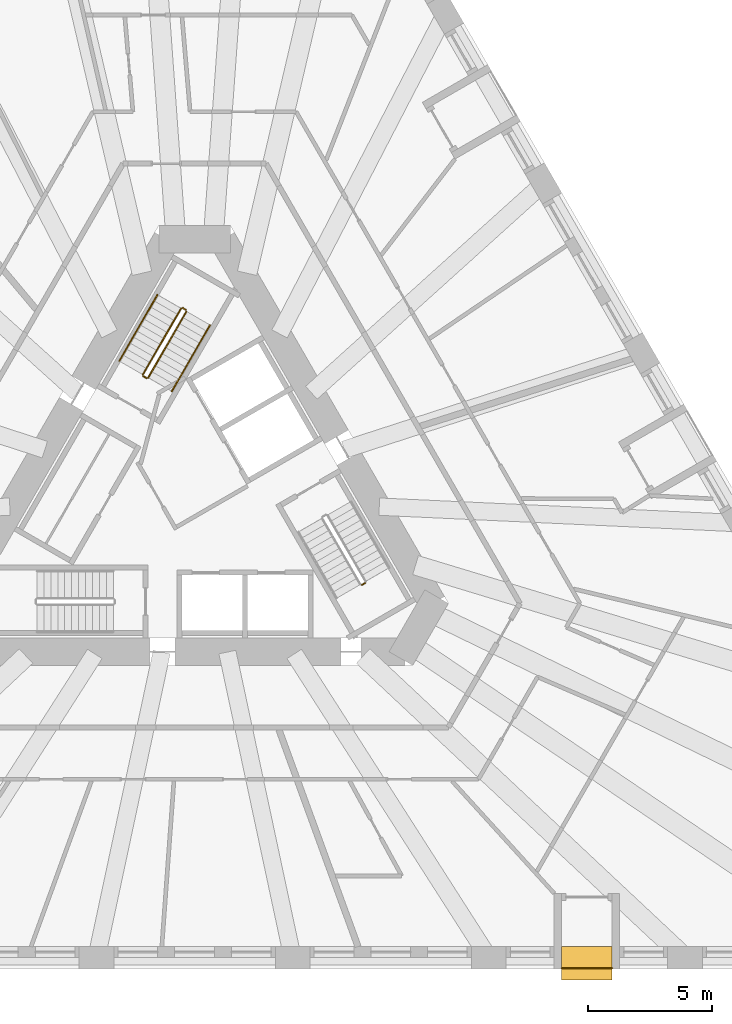
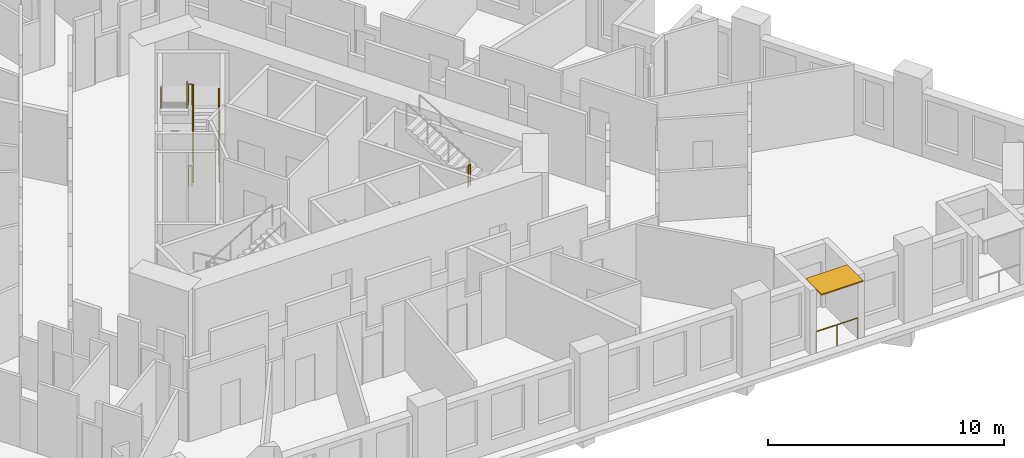
# One storey, part 12 of 14: 8 railings, 1 shading device.
"""IFC4 building model written with IfcOpenShell, lengths in metres."""

from ifc_helpers import new_model, si_unit, direction, frame, origin, origin_2d, place, context, subcontext, project, spatial, rectangle, circle, extrude, material, layer, layer_set, type_object, element, save


model = new_model("IFC4")

# Units and contexts
model_context = context("Model", 3, precision=1e-05, world=origin(), true_north=direction((0.0, 1.0)))
body_context = subcontext(model_context, "Body", "Model", "MODEL_VIEW")
ifc_project = project(units=[si_unit("LENGTHUNIT", "METRE"), si_unit("AREAUNIT", "SQUARE_METRE"), si_unit("VOLUMEUNIT", "CUBIC_METRE"), si_unit("PLANEANGLEUNIT", "RADIAN"), si_unit("MASSUNIT", "GRAM", prefix="KILO")], contexts=[model_context])

# Site, building, storey
site_placement = place(None, origin())
site = spatial("IfcSite", under=ifc_project, at=site_placement, CompositionType="ELEMENT")
building_placement = place(site_placement, origin())
building = spatial("IfcBuilding", under=site, at=building_placement, Name="Tramontana Tower", CompositionType="ELEMENT")
storey_placement = place(building_placement, frame((0.0, 0.0, 38.0)))
storey = spatial("IfcBuildingStorey", under=building, at=storey_placement, Name="L07", CompositionType="ELEMENT", Elevation=38.0)

# Railing
ifc_material_1 = material(Name="Laminated glass balustrade", Category="glass")
railing_type_1 = type_object("IfcRailingType", Name="GD1 Loggia glass balustrade 1100", PredefinedType="BALUSTRADE", material=ifc_material_1)
railing_1_placement = place(storey_placement, frame((14.816162109375, -18.969970703125, 0.0)))
element("IfcRailing", 1, at=railing_1_placement, inside=storey, type_object=railing_type_1, Name="Loggia balustrade L07 G0S1.16", PredefinedType="BALUSTRADE", context=body_context, shape_type="SweptSolid", body=[
    extrude(circle(Radius=0.02392578125, at=origin_2d()), frame((0.0, 0.0, 1.076171875), z_axis=(1.0, 0.0, 0.0), x_axis=(0.0, 1.0, 0.0)), (0.0, 0.0, 1.0), 2.039306640625),
    extrude(circle(Radius=0.02099609375, at=origin_2d()), origin(), (0.0, 0.0, 1.0), 1.052001953125),
    extrude(circle(Radius=0.02099609375, at=origin_2d()), frame((1.01953125, 0.0, 0.0)), (0.0, 0.0, 1.0), 1.052001953125),
    extrude(circle(Radius=0.02099609375, at=origin_2d()), frame((2.039306640625, 0.0, 0.0)), (0.0, 0.0, 1.0), 1.052001953125),
])

# Shading device
ifc_material_2 = material(Name="Precast concrete 60 MPa", Category="concrete")
ifc_layer = layer(ifc_material_2, 0.06005859375)
ifc_layer_set = layer_set([ifc_layer], Name="SS1 Stone sunshade blade 60")
shading_device_type = type_object("IfcShadingDeviceType", Name="SS1 Stone sunshade blade 60", PredefinedType="USERDEFINED", material=ifc_layer_set)
shading_device_placement = place(storey_placement, frame((15.8359375, -18.77490234375, 3.239990234375), z_axis=(0.0, 0.0, 1.0), x_axis=(1.0, 0.0, 0.0)))
element("IfcShadingDevice", 2, at=shading_device_placement, inside=storey, type_object=shading_device_type, Name="Sunshade L07 G0S1.16", ObjectType="SUNSHADE", PredefinedType="USERDEFINED", context=body_context, shape_type="SweptSolid", body=[
    extrude(rectangle(XDim=2.039306640625, YDim=1.35009765625, at=origin_2d()), origin(), (0.0, 0.0, 1.0), 0.06005859375),
])

# Railings
ifc_material_3 = material(Name="Painted steel", Category="steel")
railing_type_2 = type_object("IfcRailingType", Name="STAIR GUARD 1100", PredefinedType="GUARDRAIL", material=ifc_material_3)
railing_2_placement = place(storey_placement, frame((-1.867431640625, 4.865478515625, 0.166748046875)))
element("IfcRailing", 3, at=railing_2_placement, inside=storey, type_object=railing_type_2, Name="L07 ST1 stair guard 1", PredefinedType="GUARDRAIL", context=body_context, shape_type="SweptSolid", body=[
    extrude(circle(Radius=0.02392578125, at=origin_2d()), frame((0.0, 0.0, 1.076171875), z_axis=(0.429649414936, 0.744189839504, 0.511451721109), x_axis=(-0.866029832698, 0.499992328818, 0.0)), (0.0, 0.0, 1.0), 3.58447265625),
    extrude(circle(Radius=0.02099609375, at=origin_2d()), origin(), (0.0, 0.0, 1.0), 1.052001953125),
    extrude(circle(Radius=0.02099609375, at=origin_2d()), frame((0.513427734375, 0.88916015625, 0.611083984375)), (0.0, 0.0, 1.0), 1.052001953125),
    extrude(circle(Radius=0.02099609375, at=origin_2d()), frame((1.026611328125, 1.7783203125, 1.22216796875)), (0.0, 0.0, 1.0), 1.052001953125),
    extrude(circle(Radius=0.02099609375, at=origin_2d()), frame((1.5400390625, 2.66748046875, 1.833251953125)), (0.0, 0.0, 1.0), 1.052001953125),
])
railing_3_placement = place(storey_placement, frame((-0.5439453125, 7.657958984375, 2.166748046875)))
element("IfcRailing", 4, at=railing_3_placement, inside=storey, type_object=railing_type_2, Name="L07 ST1 stair guard 2", PredefinedType="GUARDRAIL", context=body_context, shape_type="SweptSolid", body=[
    extrude(circle(Radius=0.02392578125, at=origin_2d()), frame((0.0, 0.0, 1.076171875), z_axis=(-0.429649414936, -0.744189839504, 0.511451721109), x_axis=(0.866029832698, -0.499992328818, 0.0)), (0.0, 0.0, 1.0), 3.58447265625),
    extrude(circle(Radius=0.02099609375, at=origin_2d()), origin(), (0.0, 0.0, 1.0), 1.052001953125),
    extrude(circle(Radius=0.02099609375, at=origin_2d()), frame((-0.513427734375, -0.88916015625, 0.611083984375)), (0.0, 0.0, 1.0), 1.052001953125),
    extrude(circle(Radius=0.02099609375, at=origin_2d()), frame((-1.026611328125, -1.7783203125, 1.22216796875)), (0.0, 0.0, 1.0), 1.052001953125),
    extrude(circle(Radius=0.02099609375, at=origin_2d()), frame((-1.5400390625, -2.66748046875, 1.833251953125)), (0.0, 0.0, 1.0), 1.052001953125),
])
railing_4_placement = place(storey_placement, frame((-0.345703125, 7.601318359375, 2.0)))
element("IfcRailing", 5, at=railing_4_placement, inside=storey, type_object=railing_type_2, Name="L07 ST1 stair guard 3", PredefinedType="GUARDRAIL", context=body_context, shape_type="SweptSolid", body=[
    extrude(circle(Radius=0.02392578125, at=origin_2d()), frame((0.0, 0.0, 1.076171875), z_axis=(-0.866131372301, 0.499816412211, 0.0), x_axis=(-0.499816412211, -0.866131372301, 0.0)), (0.0, 0.0, 1.0), 0.14990234375),
    extrude(circle(Radius=0.02099609375, at=origin_2d()), origin(), (0.0, 0.0, 1.0), 1.052001953125),
    extrude(circle(Radius=0.02099609375, at=origin_2d()), frame((-0.1298828125, 0.074951171875, 0.0)), (0.0, 0.0, 1.0), 1.052001953125),
])
railing_5_placement = place(storey_placement, frame((-1.935791015625, 4.84716796875, 0.0)))
element("IfcRailing", 6, at=railing_5_placement, inside=storey, type_object=railing_type_2, Name="L07 ST1 stair guard 4", PredefinedType="GUARDRAIL", context=body_context, shape_type="SweptSolid", body=[
    extrude(circle(Radius=0.02392578125, at=origin_2d()), frame((0.0, 0.0, 1.076171875), z_axis=(-0.865426285481, 0.501036270542, 0.0), x_axis=(-0.501036270542, -0.865426285481, 0.0)), (0.0, 0.0, 1.0), 0.150146484375),
    extrude(circle(Radius=0.02099609375, at=origin_2d()), origin(), (0.0, 0.0, 1.0), 1.052001953125),
    extrude(circle(Radius=0.02099609375, at=origin_2d()), frame((-0.1298828125, 0.0751953125, 0.0)), (0.0, 0.0, 1.0), 1.052001953125),
])
railing_6_placement = place(storey_placement, frame((6.755615234375, -3.501220703125, 2.0)))
element("IfcRailing", 7, at=railing_6_placement, inside=storey, type_object=railing_type_2, Name="L07 ST3 stair guard 3", PredefinedType="GUARDRAIL", context=body_context, shape_type="SweptSolid", body=[
    extrude(circle(Radius=0.02392578125, at=origin_2d()), frame((0.0, 0.0, 1.076171875), z_axis=(0.866131372301, 0.499816412211, 0.0), x_axis=(-0.499816412211, 0.866131372301, 0.0)), (0.0, 0.0, 1.0), 0.14990234375),
    extrude(circle(Radius=0.02099609375, at=origin_2d()), origin(), (0.0, 0.0, 1.0), 1.052001953125),
    extrude(circle(Radius=0.02099609375, at=origin_2d()), frame((0.1298828125, 0.074951171875, 0.0)), (0.0, 0.0, 1.0), 1.052001953125),
])
ifc_material_4 = material(Name="Painted steel", Category="steel")
railing_type_3 = type_object("IfcRailingType", Name="STAIR HANDRAIL 900", PredefinedType="HANDRAIL", material=ifc_material_4)
railing_7_placement = place(storey_placement, frame((-0.914794921875, 4.315673828125, 0.166748046875)))
element("IfcRailing", 8, at=railing_7_placement, inside=storey, type_object=railing_type_3, Name="L07 ST1 stair handrail 1", PredefinedType="HANDRAIL", context=body_context, shape_type="SweptSolid", body=[
    extrude(circle(Radius=0.02392578125, at=origin_2d()), frame((0.0, 0.0, 0.8759765625), z_axis=(0.429671193721, 0.744159446956, 0.511477646425), x_axis=(-0.866010015463, 0.500026652407, 0.0)), (0.0, 0.0, 1.0), 3.584228515625),
    extrude(circle(Radius=0.02099609375, at=origin_2d()), origin(), (0.0, 0.0, 1.0), 0.851806640625),
    extrude(circle(Radius=0.02099609375, at=origin_2d()), frame((0.513427734375, 0.88916015625, 0.611083984375)), (0.0, 0.0, 1.0), 0.851806640625),
    extrude(circle(Radius=0.02099609375, at=origin_2d()), frame((1.026611328125, 1.778076171875, 1.22216796875)), (0.0, 0.0, 1.0), 0.851806640625),
    extrude(circle(Radius=0.02099609375, at=origin_2d()), frame((1.5400390625, 2.667236328125, 1.833251953125)), (0.0, 0.0, 1.0), 0.851806640625),
])
railing_8_placement = place(storey_placement, frame((-1.49658203125, 8.2080078125, 2.166748046875)))
element("IfcRailing", 9, at=railing_8_placement, inside=storey, type_object=railing_type_3, Name="L07 ST1 stair handrail 2", PredefinedType="HANDRAIL", context=body_context, shape_type="SweptSolid", body=[
    extrude(circle(Radius=0.02392578125, at=origin_2d()), frame((0.0, 0.0, 0.8759765625), z_axis=(-0.429649414936, -0.744189839504, 0.511451721109), x_axis=(0.866029832698, -0.499992328818, 0.0)), (0.0, 0.0, 1.0), 3.58447265625),
    extrude(circle(Radius=0.02099609375, at=origin_2d()), origin(), (0.0, 0.0, 1.0), 0.851806640625),
    extrude(circle(Radius=0.02099609375, at=origin_2d()), frame((-0.513427734375, -0.88916015625, 0.611083984375)), (0.0, 0.0, 1.0), 0.851806640625),
    extrude(circle(Radius=0.02099609375, at=origin_2d()), frame((-1.026611328125, -1.7783203125, 1.22216796875)), (0.0, 0.0, 1.0), 0.851806640625),
    extrude(circle(Radius=0.02099609375, at=origin_2d()), frame((-1.5400390625, -2.66748046875, 1.833251953125)), (0.0, 0.0, 1.0), 0.851806640625),
])

save(model, "model.ifc")
